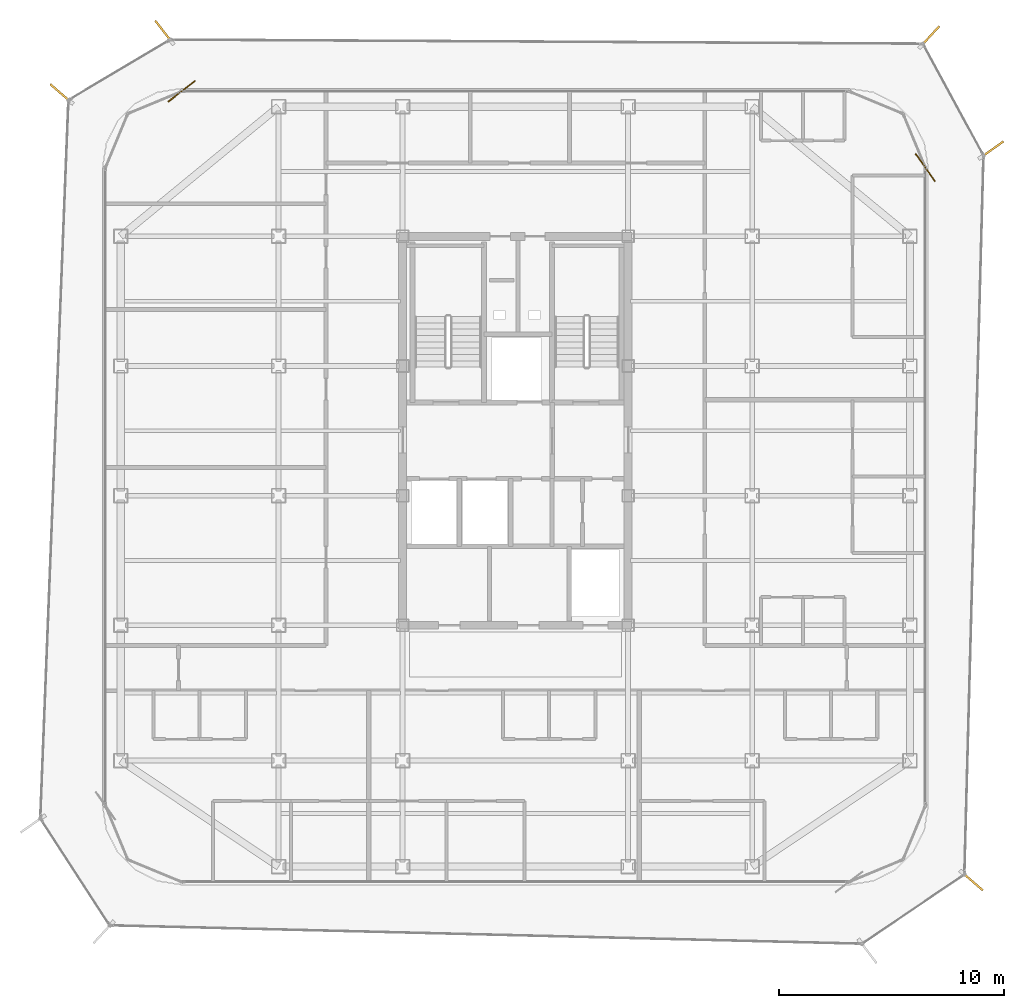
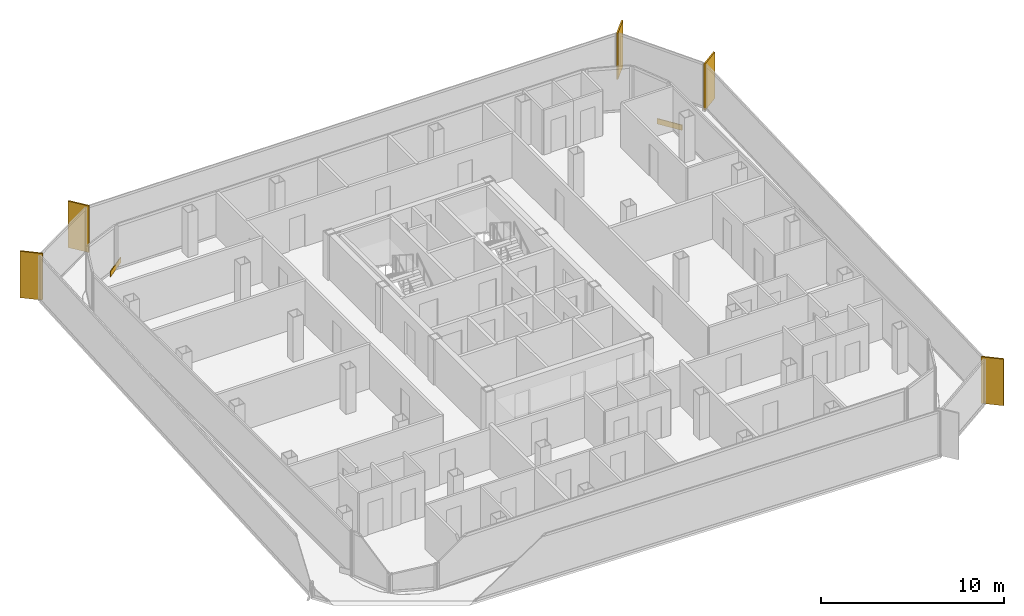
# One storey, part 15 of 15: 5 shading devices, 2 coverings.
"""IFC4 building model written with IfcOpenShell, lengths in metres."""

from ifc_helpers import new_model, si_unit, direction, frame, origin, origin_2d, place, context, subcontext, project, spatial, rectangle, extrude, source, transform, mapped, material, layer, layer_set, type_object, element, save


model = new_model("IFC4")

# Units and contexts
model_context = context("Model", 3, precision=1e-05, world=origin(), true_north=direction((0.0, 1.0)))
body_context = subcontext(model_context, "Body", "Model", "MODEL_VIEW")
ifc_project = project(units=[si_unit("LENGTHUNIT", "METRE"), si_unit("AREAUNIT", "SQUARE_METRE"), si_unit("VOLUMEUNIT", "CUBIC_METRE"), si_unit("PLANEANGLEUNIT", "RADIAN"), si_unit("MASSUNIT", "GRAM", prefix="KILO")], contexts=[model_context])

# Site, building, storey
site_placement = place(None, origin())
site = spatial("IfcSite", under=ifc_project, at=site_placement, CompositionType="ELEMENT")
building_placement = place(site_placement, origin())
building = spatial("IfcBuilding", under=site, at=building_placement, Name="Kolveth Station Tower", CompositionType="ELEMENT")
storey_placement = place(building_placement, frame((0.0, 0.0, 252.10009765625)))
storey = spatial("IfcBuildingStorey", under=building, at=storey_placement, Name="L72", CompositionType="ELEMENT", Elevation=252.10009765625)

# Shading devices
ifc_material_1 = material(Name="Black anodized aluminium 6063-T6", Category="aluminium")
shading_device_type = type_object("IfcShadingDeviceType", Name="FIN_VF1", PredefinedType="USERDEFINED", material=ifc_material_1)
shared_shape_1 = source(origin(), body_context, "Body", "SweptSolid", [
    extrude(rectangle(XDim=1.25, YDim=0.090087890625, at=origin_2d()), origin(), (0.0, 0.0, 1.0), 3.10009765625),
])
for number, where, z_axis, x_axis, name in (
    (1, (43.760009765625, 0.153076171875, -0.000244140625), (0.0, 0.0, 1.0), (0.756766922719, -0.653684805299, 0.0), "L72 Dark-Aluminium Solar Fin 2"),
    (2, (44.634033203125, 32.595947265625, -0.000244140625), (0.0, 0.0, 1.0), (0.816440043737, 0.577430216549, 0.0), "L72 Dark-Aluminium Solar Fin 3"),
    (3, (41.885009765625, 37.615966796875, -0.000244140625), (0.0, 0.0, 1.0), (0.677389697402, 0.735624359204, 0.0), "L72 Dark-Aluminium Solar Fin 4"),
    (4, (7.912109375, 37.821044921875, -0.000244140625), (0.0, 0.0, 1.0), (-0.611527040186, 0.791223532967, 0.0), "L72 Dark-Aluminium Solar Fin 5"),
    (5, (3.346923828125, 35.0869140625, -0.000244140625), (0.0, 0.0, 1.0), (-0.75619618703, 0.654344960034, 0.0), "L72 Dark-Aluminium Solar Fin 6"),
):
    element("IfcShadingDevice", number, at=place(storey_placement, frame(where, z_axis=z_axis, x_axis=x_axis)), inside=storey, type_object=shading_device_type, Name=name, ObjectType="FIN", PredefinedType="USERDEFINED", context=body_context, shape_type="MappedRepresentation", body=[
        mapped(shared_shape_1, transform((0.0, 0.0, 0.0), x_axis=(1.0, 0.0, 0.0), y_axis=(0.0, 1.0, 0.0), z_axis=(0.0, 0.0, 1.0), scale=1.0)),
    ])

# Coverings
ifc_material_2 = material(Name="Charcoal anodized aluminium spandrel cladding", Category="aluminium")
ifc_layer = layer(ifc_material_2, 0.044921875)
ifc_layer_set = layer_set([ifc_layer], Name="Charcoal anodized aluminium spandrel cladding")
covering_type = type_object("IfcCoveringType", Name="Clad_CD1", PredefinedType="CLADDING", material=ifc_layer_set)
shared_shape_2 = source(origin(), body_context, "Body", "SweptSolid", [
    extrude(rectangle(XDim=1.5, YDim=0.044921875, at=origin_2d()), origin(), (0.0, 0.0, 1.0), 0.360107421875),
])
for number, where, z_axis, x_axis, name in (
    (6, (41.679931640625, 31.800048828125, 0.0), (0.0, 0.0, 1.0), (-0.577430216549, 0.816440043737, 0.0), "L72 Spandrel Edge Cladding 3"),
    (7, (8.699951171875, 35.179931640625, 0.0), (0.0, 0.0, 1.0), (-0.791223532967, -0.611527040186, 0.0), "L72 Spandrel Edge Cladding 5"),
):
    element("IfcCovering", number, at=place(storey_placement, frame(where, z_axis=z_axis, x_axis=x_axis)), inside=storey, type_object=covering_type, Name=name, PredefinedType="CLADDING", context=body_context, shape_type="MappedRepresentation", body=[
        mapped(shared_shape_2, transform((0.0, 0.0, 0.0), x_axis=(1.0, 0.0, 0.0), y_axis=(0.0, 1.0, 0.0), z_axis=(0.0, 0.0, 1.0), scale=1.0)),
    ])

save(model, "model.ifc")
